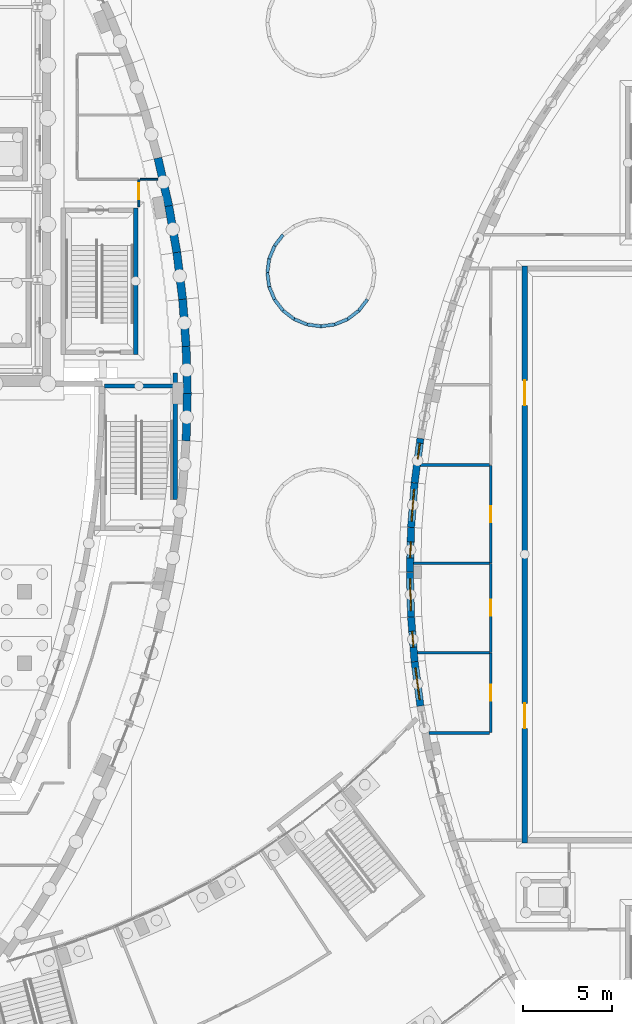
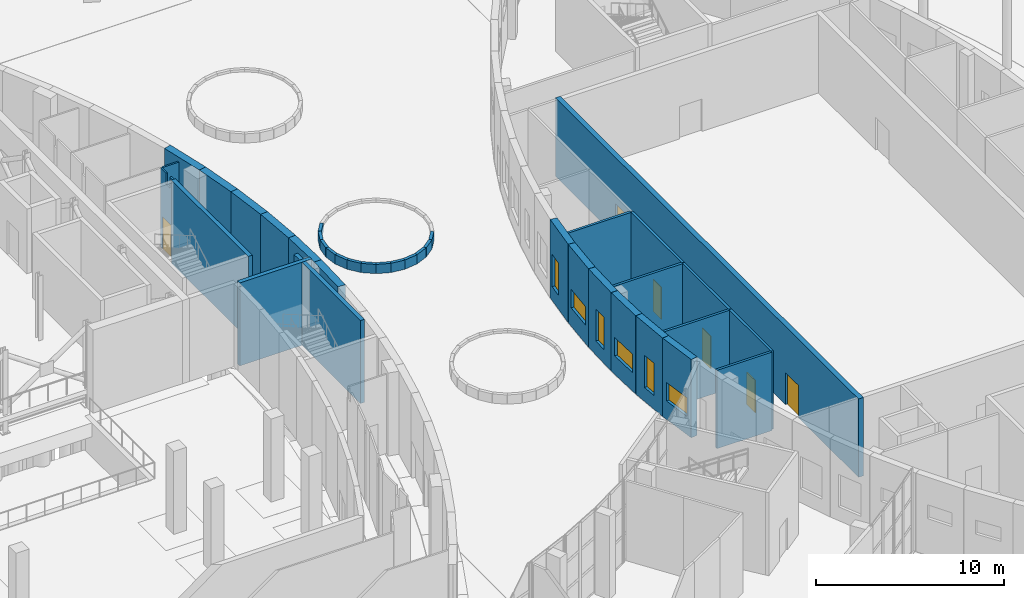
# One storey, part 53 of 82: 38 walls, 6 doors, 6 windows, 12 openings.
"""IFC4 building model written with IfcOpenShell, lengths in metres."""

from ifc_helpers import new_model, si_unit, direction, frame, frame_2d, origin, place, context, subcontext, project, spatial, polyline, rectangle, outline, extrude, material, layer, layer_set, type_object, element, fill, save


model = new_model("IFC4")

# Units and contexts
model_context = context("Model", 3, precision=1e-05, world=origin(), true_north=direction((0.0, 1.0)))
body_context = subcontext(model_context, "Body", "Model", "MODEL_VIEW")
ifc_project = project(units=[si_unit("LENGTHUNIT", "METRE"), si_unit("AREAUNIT", "SQUARE_METRE"), si_unit("VOLUMEUNIT", "CUBIC_METRE"), si_unit("PLANEANGLEUNIT", "RADIAN"), si_unit("MASSUNIT", "GRAM", prefix="KILO")], contexts=[model_context])

# Site, building, storey
site_placement = place(None, origin())
site = spatial("IfcSite", under=ifc_project, at=site_placement, CompositionType="ELEMENT")
building_placement = place(site_placement, origin())
building = spatial("IfcBuilding", under=site, at=building_placement, Name="Tide Square Theatres", CompositionType="ELEMENT")
storey_placement = place(building_placement, origin())
storey = spatial("IfcBuildingStorey", under=building, at=storey_placement, Name="L00", CompositionType="ELEMENT", Elevation=0.0)

# Wall, opening, door
ifc_material_1 = material(Name="Gypsum board on steel studs", Category="steel")
ifc_layer_1 = layer(ifc_material_1, 0.10009765625)
ifc_layer_set_1 = layer_set([ifc_layer_1], Name="Gypsum board on steel studs")
wall_type_1 = type_object("IfcWallType", Name="Partition 100 thick", PredefinedType="PARTITIONING", material=ifc_layer_set_1)
wall_1_placement = place(storey_placement, frame((102.39990234375, 65.4599609375, 0.0), z_axis=(0.0, 0.0, 1.0), x_axis=(0.0, 1.0, 0.0)))
wall_1 = element("IfcWall", 1, at=wall_1_placement, inside=storey, type_object=wall_type_1, Name="Partition", PredefinedType="PARTITIONING", context=body_context, shape_type="SweptSolid", body=[
    extrude(outline(polyline([(0.0, 0.0), (1.52001953125, 0.0), (1.52001953125, 5.14990234375), (0.947021484375, 5.14990234375), (0.945068359375, 4.419921875), (0.534912109375, 4.419921875), (0.532958984375, 5.14990234375), (0.0, 5.14990234375), (0.0, 0.0)])), frame((0.0, 0.050048828125, 0.0), z_axis=(0.0, -1.0, 0.0), x_axis=(1.0, 0.0, 0.0)), (0.0, 0.0, 1.0), 0.10009765625),
])
opening_1_placement = place(wall_1_placement, frame((0.419921875, 0.0, 0.0)))
opening_1 = element("IfcOpeningElement", 2, at=opening_1_placement, cuts=wall_1, Name="Opening M00-28", PredefinedType="OPENING", context=body_context, shape_type="SweptSolid", body=[
    extrude(rectangle(XDim=0.89990234375, YDim=2.10009765625, at=frame_2d((0.449951171875, 1.050048828125))), frame((0.0, 0.06005859375, 0.0), z_axis=(0.0, -1.0, 0.0), x_axis=(1.0, 0.0, 0.0)), (0.0, 0.0, 1.0), 0.1201171875),
])
ifc_material_2 = material(Name="Hardwood timber", Category="wood")
door_type_1 = type_object("IfcDoorType", Name="Door 900 x 2100 single leaf", OperationType="NOTDEFINED", PredefinedType="DOOR", material=ifc_material_2)
door_1_placement = place(opening_1_placement, frame((0.89990234375, 0.0, 0.0), z_axis=(0.0, 0.0, 1.0), x_axis=(-1.0, 0.0, 0.0)))
door_1 = element("IfcDoor", 3, at=door_1_placement, inside=storey, type_object=door_type_1, Name="Stage Door Lodge door", OperationType="SINGLE_SWING_LEFT", OverallHeight=2.10009765625, OverallWidth=0.89990234375, PredefinedType="DOOR", context=body_context, shape_type="SweptSolid", body=[
    extrude(rectangle(XDim=0.89990234375, YDim=2.10009765625, at=frame_2d((0.449951171875, 1.050048828125))), frame((0.0, 0.02490234375, 0.0), z_axis=(0.0, -1.0, 0.0), x_axis=(1.0, 0.0, 0.0)), (0.0, 0.0, 1.0), 0.050048828125),
])
fill(opening_1, door_1)

# Wall
wall_2_placement = place(storey_placement, frame((103.46533203125, 67.0, 0.0), z_axis=(0.0, 0.0, 1.0), x_axis=(-1.0, 0.0, 0.0)))
element("IfcWall", 4, at=wall_2_placement, inside=storey, type_object=wall_type_1, Name="Partition", PredefinedType="PARTITIONING", context=body_context, shape_type="SweptSolid", body=[
    extrude(rectangle(XDim=0.995361328125, YDim=0.10009765625, at=frame_2d((0.49755859375, 0.0))), origin(), (0.0, 0.0, 1.0), 5.14990234375),
])

# Wall, opening, door
ifc_material_3 = material(Name="Gypsum board on steel studs", Category="steel")
ifc_layer_2 = layer(ifc_material_3, 0.14990234375)
ifc_layer_set_2 = layer_set([ifc_layer_2], Name="Gypsum board on steel studs")
wall_type_2 = type_object("IfcWallType", Name="Partition 150 thick", PredefinedType="PARTITIONING", material=ifc_layer_set_2)
wall_3_placement = place(storey_placement, frame((122.10009765625, 36.02001953125, 0.0), z_axis=(0.0, 0.0, 1.0), x_axis=(0.0, 1.0, 0.0)))
wall_3 = element("IfcWall", 5, at=wall_3_placement, inside=storey, type_object=wall_type_2, Name="Black Box Theatre partition", PredefinedType="PARTITIONING", context=body_context, shape_type="SweptSolid", body=[
    extrude(rectangle(XDim=4.4599609375, YDim=0.14990234375, at=frame_2d((2.22998046875, 0.0))), origin(), (0.0, 0.0, 1.0), 5.10009765625),
])
opening_2_placement = place(wall_3_placement, frame((1.780029296875, 0.0, 0.0)))
opening_2 = element("IfcOpeningElement", 6, at=opening_2_placement, cuts=wall_3, Name="Opening B00-11", PredefinedType="OPENING", context=body_context, shape_type="SweptSolid", body=[
    extrude(rectangle(XDim=0.89990234375, YDim=2.10009765625, at=frame_2d((0.449951171875, 1.050048828125))), frame((0.0, 0.0849609375, 0.0), z_axis=(0.0, -1.0, 0.0), x_axis=(1.0, 0.0, 0.0)), (0.0, 0.0, 1.0), 0.169921875),
])
door_2_placement = place(opening_2_placement, origin())
door_2 = element("IfcDoor", 7, at=door_2_placement, inside=storey, type_object=door_type_1, Name="Dressing Room 01 door", OperationType="SINGLE_SWING_RIGHT", OverallHeight=2.10009765625, OverallWidth=0.89990234375, PredefinedType="DOOR", context=body_context, shape_type="SweptSolid", body=[
    extrude(rectangle(XDim=0.89990234375, YDim=2.10009765625, at=frame_2d((0.449951171875, 1.050048828125))), frame((0.0, 0.02490234375, 0.0), z_axis=(0.0, -1.0, 0.0), x_axis=(1.0, 0.0, 0.0)), (0.0, 0.0, 1.0), 0.050048828125),
])
fill(opening_2, door_2)

wall_4_placement = place(storey_placement, frame((122.10009765625, 40.52001953125, 0.0), z_axis=(0.0, 0.0, 1.0), x_axis=(0.0, 1.0, 0.0)))
wall_4 = element("IfcWall", 8, at=wall_4_placement, inside=storey, type_object=wall_type_2, Name="Black Box Theatre partition", PredefinedType="PARTITIONING", context=body_context, shape_type="SweptSolid", body=[
    extrude(rectangle(XDim=4.9599609375, YDim=0.14990234375, at=frame_2d((2.47998046875, 0.0))), origin(), (0.0, 0.0, 1.0), 5.10009765625),
])
opening_3_placement = place(wall_4_placement, frame((2.030029296875, 0.0, 0.0)))
opening_3 = element("IfcOpeningElement", 9, at=opening_3_placement, cuts=wall_4, Name="Opening B00-12", PredefinedType="OPENING", context=body_context, shape_type="SweptSolid", body=[
    extrude(rectangle(XDim=0.89990234375, YDim=2.10009765625, at=frame_2d((0.449951171875, 1.050048828125))), frame((0.0, 0.0849609375, 0.0), z_axis=(0.0, -1.0, 0.0), x_axis=(1.0, 0.0, 0.0)), (0.0, 0.0, 1.0), 0.169921875),
])
door_3_placement = place(opening_3_placement, origin())
door_3 = element("IfcDoor", 10, at=door_3_placement, inside=storey, type_object=door_type_1, Name="Dressing Room 02 door", OperationType="SINGLE_SWING_RIGHT", OverallHeight=2.10009765625, OverallWidth=0.89990234375, PredefinedType="DOOR", context=body_context, shape_type="SweptSolid", body=[
    extrude(rectangle(XDim=0.89990234375, YDim=2.10009765625, at=frame_2d((0.449951171875, 1.050048828125))), frame((0.0, 0.02490234375, 0.0), z_axis=(0.0, -1.0, 0.0), x_axis=(1.0, 0.0, 0.0)), (0.0, 0.0, 1.0), 0.050048828125),
])
fill(opening_3, door_3)

wall_5_placement = place(storey_placement, frame((122.10009765625, 45.52001953125, 0.0), z_axis=(0.0, 0.0, 1.0), x_axis=(0.0, 1.0, 0.0)))
wall_5 = element("IfcWall", 11, at=wall_5_placement, inside=storey, type_object=wall_type_2, Name="Black Box Theatre partition", PredefinedType="PARTITIONING", context=body_context, shape_type="SweptSolid", body=[
    extrude(rectangle(XDim=5.4599609375, YDim=0.14990234375, at=frame_2d((2.72998046875, 0.0))), origin(), (0.0, 0.0, 1.0), 5.10009765625),
])
opening_4_placement = place(wall_5_placement, frame((2.280029296875, 0.0, 0.0)))
opening_4 = element("IfcOpeningElement", 12, at=opening_4_placement, cuts=wall_5, Name="Opening B00-13", PredefinedType="OPENING", context=body_context, shape_type="SweptSolid", body=[
    extrude(rectangle(XDim=0.89990234375, YDim=2.10009765625, at=frame_2d((0.449951171875, 1.050048828125))), frame((0.0, 0.0849609375, 0.0), z_axis=(0.0, -1.0, 0.0), x_axis=(1.0, 0.0, 0.0)), (0.0, 0.0, 1.0), 0.169921875),
])
door_4_placement = place(opening_4_placement, origin())
door_4 = element("IfcDoor", 13, at=door_4_placement, inside=storey, type_object=door_type_1, Name="Green Room door", OperationType="SINGLE_SWING_RIGHT", OverallHeight=2.10009765625, OverallWidth=0.89990234375, PredefinedType="DOOR", context=body_context, shape_type="SweptSolid", body=[
    extrude(rectangle(XDim=0.89990234375, YDim=2.10009765625, at=frame_2d((0.449951171875, 1.050048828125))), frame((0.0, 0.02490234375, 0.0), z_axis=(0.0, -1.0, 0.0), x_axis=(1.0, 0.0, 0.0)), (0.0, 0.0, 1.0), 0.050048828125),
])
fill(opening_4, door_4)

# Walls
wall_6_placement = place(storey_placement, frame((118.646728515625, 36.0, 0.0), z_axis=(0.0, 0.0, 1.0), x_axis=(1.0, 0.0, 0.0)))
element("IfcWall", 14, at=wall_6_placement, inside=storey, type_object=wall_type_2, Name="Black Box Theatre partition", PredefinedType="PARTITIONING", context=body_context, shape_type="SweptSolid", body=[
    extrude(rectangle(XDim=3.393310546875, YDim=0.14990234375, at=frame_2d((1.69677734375, 0.0))), origin(), (0.0, 0.0, 1.0), 5.10009765625),
])
wall_7_placement = place(storey_placement, frame((117.99609375, 40.5, 0.0), z_axis=(0.0, 0.0, 1.0), x_axis=(1.0, 0.0, 0.0)))
element("IfcWall", 15, at=wall_7_placement, inside=storey, type_object=wall_type_2, Name="Black Box Theatre partition", PredefinedType="PARTITIONING", context=body_context, shape_type="SweptSolid", body=[
    extrude(rectangle(XDim=4.0439453125, YDim=0.14990234375, at=frame_2d((2.02197265625, 0.0))), origin(), (0.0, 0.0, 1.0), 5.10009765625),
])
wall_8_placement = place(storey_placement, frame((117.78564453125, 45.5, 0.0), z_axis=(0.0, 0.0, 1.0), x_axis=(1.0, 0.0, 0.0)))
element("IfcWall", 16, at=wall_8_placement, inside=storey, type_object=wall_type_2, Name="Black Box Theatre partition", PredefinedType="PARTITIONING", context=body_context, shape_type="SweptSolid", body=[
    extrude(rectangle(XDim=4.25439453125, YDim=0.14990234375, at=frame_2d((2.127197265625, 0.0))), origin(), (0.0, 0.0, 1.0), 5.10009765625),
])
wall_9_placement = place(storey_placement, frame((118.168212890625, 51.0, 0.0), z_axis=(0.0, 0.0, 1.0), x_axis=(1.0, 0.0, 0.0)))
element("IfcWall", 17, at=wall_9_placement, inside=storey, type_object=wall_type_2, Name="Black Box Theatre partition", PredefinedType="PARTITIONING", context=body_context, shape_type="SweptSolid", body=[
    extrude(rectangle(XDim=3.871826171875, YDim=0.14990234375, at=frame_2d((1.93603515625, 0.0))), origin(), (0.0, 0.0, 1.0), 5.10009765625),
])

# Wall, opening, window
ifc_material_4 = material(Name="Concrete C40", Category="concrete")
ifc_layer_3 = layer(ifc_material_4, 0.39990234375)
ifc_layer_set_3 = layer_set([ifc_layer_3], Name="Concrete C40")
wall_type_3 = type_object("IfcWallType", Name="RC curved wall 400 thick", PredefinedType="SOLIDWALL", material=ifc_layer_set_3)
wall_10_placement = place(storey_placement, frame((118.1630859375, 52.487548828125, 0.0), z_axis=(0.0, 0.0, 1.0), x_axis=(-0.130722601708, -0.991418983782, 0.0)))
wall_10 = element("IfcWall", 18, at=wall_10_placement, inside=storey, type_object=wall_type_3, Name="Black Box Theatre perimeter wall", PredefinedType="SOLIDWALL", context=body_context, shape_type="SweptSolid", body=[
    extrude(rectangle(XDim=2.4970703125, YDim=0.39990234375, at=frame_2d((1.24853515625, 0.0))), origin(), (0.0, 0.0, 1.0), 5.10009765625),
])
opening_5_placement = place(wall_10_placement, frame((0.26220703125, 0.0, 0.89990234375)))
opening_5 = element("IfcOpeningElement", 19, at=opening_5_placement, cuts=wall_10, Name="Opening WN-10", PredefinedType="OPENING", context=body_context, shape_type="SweptSolid", body=[
    extrude(rectangle(XDim=0.89990234375, YDim=2.10009765625, at=frame_2d((0.449951171875, 1.050048828125))), frame((0.0, 0.2099609375, 0.0), z_axis=(0.0, -1.0, 0.0), x_axis=(1.0, 0.0, 0.0)), (0.0, 0.0, 1.0), 0.419921875),
])
ifc_material_5 = material(Name="Aluminium with laminated glass", Category="aluminium")
window_type_1 = type_object("IfcWindowType", Name="Window 900 x 2100", PartitioningType="SINGLE_PANEL", PredefinedType="WINDOW", material=ifc_material_5)
window_1_placement = place(opening_5_placement, origin())
window_1 = element("IfcWindow", 20, at=window_1_placement, inside=storey, type_object=window_type_1, Name="Black Box Theatre Control Room window", OverallHeight=2.10009765625, OverallWidth=0.89990234375, PartitioningType="SINGLE_PANEL", PredefinedType="WINDOW", context=body_context, shape_type="SweptSolid", body=[
    extrude(rectangle(XDim=0.89990234375, YDim=2.10009765625, at=frame_2d((0.449951171875, 1.050048828125))), frame((0.0, 0.030029296875, 0.0), z_axis=(0.0, -1.0, 0.0), x_axis=(1.0, 0.0, 0.0)), (0.0, 0.0, 1.0), 0.06005859375),
])
fill(opening_5, window_1)

wall_11_placement = place(storey_placement, frame((117.83544921875, 50.00146484375, 0.0), z_axis=(0.0, 0.0, 1.0), x_axis=(-0.078602769132, -0.996906015974, 0.0)))
wall_11 = element("IfcWall", 21, at=wall_11_placement, inside=storey, type_object=wall_type_3, Name="Black Box Theatre perimeter wall", PredefinedType="SOLIDWALL", context=body_context, shape_type="SweptSolid", body=[
    extrude(rectangle(XDim=2.497314453125, YDim=0.39990234375, at=frame_2d((1.24853515625, 0.0))), origin(), (0.0, 0.0, 1.0), 5.10009765625),
])
opening_6_placement = place(wall_11_placement, frame((0.3486328125, 0.0, 1.199951171875)))
opening_6 = element("IfcOpeningElement", 22, at=opening_6_placement, cuts=wall_11, Name="Opening WN-26", PredefinedType="OPENING", context=body_context, shape_type="SweptSolid", body=[
    extrude(rectangle(XDim=1.800048828125, YDim=1.199951171875, at=frame_2d((0.89990234375, 0.60009765625))), frame((0.0, 0.2099609375, 0.0), z_axis=(0.0, -1.0, 0.0), x_axis=(1.0, 0.0, 0.0)), (0.0, 0.0, 1.0), 0.419921875),
])
ifc_material_6 = material(Name="Aluminium with laminated glass", Category="aluminium")
window_type_2 = type_object("IfcWindowType", Name="Window 1800 x 1200", PartitioningType="DOUBLE_PANEL_VERTICAL", PredefinedType="WINDOW", material=ifc_material_6)
window_2_placement = place(opening_6_placement, origin())
window_2 = element("IfcWindow", 23, at=window_2_placement, inside=storey, type_object=window_type_2, Name="Black Box Theatre Green Room window", OverallHeight=1.199951171875, OverallWidth=1.800048828125, PartitioningType="SINGLE_PANEL", PredefinedType="WINDOW", context=body_context, shape_type="SweptSolid", body=[
    extrude(rectangle(XDim=1.800048828125, YDim=1.199951171875, at=frame_2d((0.89990234375, 0.60009765625))), frame((0.0, 0.030029296875, 0.0), z_axis=(0.0, -1.0, 0.0), x_axis=(1.0, 0.0, 0.0)), (0.0, 0.0, 1.0), 0.06005859375),
])
fill(opening_6, window_2)

wall_12_placement = place(storey_placement, frame((117.638671875, 47.501708984375, 0.0), z_axis=(0.0, 0.0, 1.0), x_axis=(-0.026296399089, -0.999654189905, 0.0)))
wall_12 = element("IfcWall", 24, at=wall_12_placement, inside=storey, type_object=wall_type_3, Name="Black Box Theatre perimeter wall", PredefinedType="SOLIDWALL", context=body_context, shape_type="SweptSolid", body=[
    extrude(rectangle(XDim=2.49755859375, YDim=0.39990234375, at=frame_2d((1.248779296875, 0.0))), origin(), (0.0, 0.0, 1.0), 5.10009765625),
])
opening_7_placement = place(wall_12_placement, frame((0.798583984375, 0.0, 0.89990234375)))
opening_7 = element("IfcOpeningElement", 25, at=opening_7_placement, cuts=wall_12, Name="Opening WN-10", PredefinedType="OPENING", context=body_context, shape_type="SweptSolid", body=[
    extrude(rectangle(XDim=0.89990234375, YDim=2.10009765625, at=frame_2d((0.449951171875, 1.050048828125))), frame((0.0, 0.2099609375, 0.0), z_axis=(0.0, -1.0, 0.0), x_axis=(1.0, 0.0, 0.0)), (0.0, 0.0, 1.0), 0.419921875),
])
window_3_placement = place(opening_7_placement, origin())
window_3 = element("IfcWindow", 26, at=window_3_placement, inside=storey, type_object=window_type_1, Name="Black Box Theatre Green Room window", OverallHeight=2.10009765625, OverallWidth=0.89990234375, PartitioningType="SINGLE_PANEL", PredefinedType="WINDOW", context=body_context, shape_type="SweptSolid", body=[
    extrude(rectangle(XDim=0.89990234375, YDim=2.10009765625, at=frame_2d((0.449951171875, 1.050048828125))), frame((0.0, 0.030029296875, 0.0), z_axis=(0.0, -1.0, 0.0), x_axis=(1.0, 0.0, 0.0)), (0.0, 0.0, 1.0), 0.06005859375),
])
fill(opening_7, window_3)

wall_13_placement = place(storey_placement, frame((117.572998046875, 44.994873046875, 0.0), z_axis=(0.0, 0.0, 1.0), x_axis=(0.026296399089, -0.999654189905, 0.0)))
wall_13 = element("IfcWall", 27, at=wall_13_placement, inside=storey, type_object=wall_type_3, Name="Black Box Theatre perimeter wall", PredefinedType="SOLIDWALL", context=body_context, shape_type="SweptSolid", body=[
    extrude(rectangle(XDim=2.49755859375, YDim=0.39990234375, at=frame_2d((1.248779296875, 0.0))), origin(), (0.0, 0.0, 1.0), 5.10009765625),
])
opening_8_placement = place(wall_13_placement, frame((0.3486328125, 0.0, 1.199951171875)))
opening_8 = element("IfcOpeningElement", 28, at=opening_8_placement, cuts=wall_13, Name="Opening WN-26", PredefinedType="OPENING", context=body_context, shape_type="SweptSolid", body=[
    extrude(rectangle(XDim=1.800048828125, YDim=1.199951171875, at=frame_2d((0.89990234375, 0.60009765625))), frame((0.0, 0.2099609375, 0.0), z_axis=(0.0, -1.0, 0.0), x_axis=(1.0, 0.0, 0.0)), (0.0, 0.0, 1.0), 0.419921875),
])
window_4_placement = place(opening_8_placement, origin())
window_4 = element("IfcWindow", 29, at=window_4_placement, inside=storey, type_object=window_type_2, Name="Black Box Theatre Dressing Room 02 window", OverallHeight=1.199951171875, OverallWidth=1.800048828125, PartitioningType="SINGLE_PANEL", PredefinedType="WINDOW", context=body_context, shape_type="SweptSolid", body=[
    extrude(rectangle(XDim=1.800048828125, YDim=1.199951171875, at=frame_2d((0.89990234375, 0.60009765625))), frame((0.0, 0.030029296875, 0.0), z_axis=(0.0, -1.0, 0.0), x_axis=(1.0, 0.0, 0.0)), (0.0, 0.0, 1.0), 0.06005859375),
])
fill(opening_8, window_4)

wall_14_placement = place(storey_placement, frame((117.63916015625, 42.488037109375, 0.0), z_axis=(0.0, 0.0, 1.0), x_axis=(0.078602769132, -0.996906015974, 0.0)))
wall_14 = element("IfcWall", 30, at=wall_14_placement, inside=storey, type_object=wall_type_3, Name="Black Box Theatre perimeter wall", PredefinedType="SOLIDWALL", context=body_context, shape_type="SweptSolid", body=[
    extrude(rectangle(XDim=2.497314453125, YDim=0.39990234375, at=frame_2d((1.24853515625, 0.0))), origin(), (0.0, 0.0, 1.0), 5.10009765625),
])
opening_9_placement = place(wall_14_placement, frame((0.798583984375, 0.0, 0.89990234375)))
opening_9 = element("IfcOpeningElement", 31, at=opening_9_placement, cuts=wall_14, Name="Opening WN-10", PredefinedType="OPENING", context=body_context, shape_type="SweptSolid", body=[
    extrude(rectangle(XDim=0.89990234375, YDim=2.10009765625, at=frame_2d((0.449951171875, 1.050048828125))), frame((0.0, 0.2099609375, 0.0), z_axis=(0.0, -1.0, 0.0), x_axis=(1.0, 0.0, 0.0)), (0.0, 0.0, 1.0), 0.419921875),
])
window_5_placement = place(opening_9_placement, origin())
window_5 = element("IfcWindow", 32, at=window_5_placement, inside=storey, type_object=window_type_1, Name="Black Box Theatre Dressing Room 02 window", OverallHeight=2.10009765625, OverallWidth=0.89990234375, PartitioningType="SINGLE_PANEL", PredefinedType="WINDOW", context=body_context, shape_type="SweptSolid", body=[
    extrude(rectangle(XDim=0.89990234375, YDim=2.10009765625, at=frame_2d((0.449951171875, 1.050048828125))), frame((0.0, 0.030029296875, 0.0), z_axis=(0.0, -1.0, 0.0), x_axis=(1.0, 0.0, 0.0)), (0.0, 0.0, 1.0), 0.06005859375),
])
fill(opening_9, window_5)

wall_15_placement = place(storey_placement, frame((117.836669921875, 39.988037109375, 0.0), z_axis=(0.0, 0.0, 1.0), x_axis=(0.130722601708, -0.991418983782, 0.0)))
wall_15 = element("IfcWall", 33, at=wall_15_placement, inside=storey, type_object=wall_type_3, Name="Black Box Theatre perimeter wall", PredefinedType="SOLIDWALL", context=body_context, shape_type="SweptSolid", body=[
    extrude(rectangle(XDim=2.4970703125, YDim=0.39990234375, at=frame_2d((1.24853515625, 0.0))), origin(), (0.0, 0.0, 1.0), 5.10009765625),
])
opening_10_placement = place(wall_15_placement, frame((0.3486328125, 0.0, 1.199951171875)))
opening_10 = element("IfcOpeningElement", 34, at=opening_10_placement, cuts=wall_15, Name="Opening WN-26", PredefinedType="OPENING", context=body_context, shape_type="SweptSolid", body=[
    extrude(rectangle(XDim=1.800048828125, YDim=1.199951171875, at=frame_2d((0.89990234375, 0.60009765625))), frame((0.0, 0.2099609375, 0.0), z_axis=(0.0, -1.0, 0.0), x_axis=(1.0, 0.0, 0.0)), (0.0, 0.0, 1.0), 0.419921875),
])
window_6_placement = place(opening_10_placement, origin())
window_6 = element("IfcWindow", 35, at=window_6_placement, inside=storey, type_object=window_type_2, Name="Black Box Theatre Dressing Room 01 window", OverallHeight=1.199951171875, OverallWidth=1.800048828125, PartitioningType="SINGLE_PANEL", PredefinedType="WINDOW", context=body_context, shape_type="SweptSolid", body=[
    extrude(rectangle(XDim=1.800048828125, YDim=1.199951171875, at=frame_2d((0.89990234375, 0.60009765625))), frame((0.0, 0.030029296875, 0.0), z_axis=(0.0, -1.0, 0.0), x_axis=(1.0, 0.0, 0.0)), (0.0, 0.0, 1.0), 0.06005859375),
])
fill(opening_10, window_6)

# Walls
ifc_material_7 = material(Name="Concrete C40", Category="concrete")
ifc_layer_4 = layer(ifc_material_7, 0.449951171875)
ifc_layer_set_4 = layer_set([ifc_layer_4], Name="Concrete C40")
wall_type_4 = type_object("IfcWallType", Name="RC curved wall 450 thick", PredefinedType="SOLIDWALL", material=ifc_layer_set_4)
for number, where, z_axis, x_axis, name in (
    (36, (105.044921875, 52.358154296875, 0.0), (0.0, 0.0, 1.0), (0.024666736886, 0.999695729756, 0.0), "Main Theatre perimeter wall"),
    (37, (105.110107421875, 55.0, 0.0), (0.0, 0.0, 1.0), (-0.024666736886, 0.999695729756, 0.0), "Main Theatre perimeter wall"),
):
    element("IfcWall", number, at=place(storey_placement, frame(where, z_axis=z_axis, x_axis=x_axis)), inside=storey, type_object=wall_type_4, Name=name, PredefinedType="SOLIDWALL", context=body_context, shape_type="SweptSolid", body=[
        extrude(rectangle(XDim=2.642578125, YDim=0.449951171875, at=frame_2d((1.3212890625, 0.0))), origin(), (0.0, 0.0, 1.0), 5.39990234375),
    ])
wall_16_placement = place(storey_placement, frame((105.044921875, 57.641845703125, 0.0), z_axis=(0.0, 0.0, 1.0), x_axis=(-0.07363685767, 0.997285121313, 0.0)))
element("IfcWall", 38, at=wall_16_placement, inside=storey, type_object=wall_type_4, Name="Main Theatre perimeter wall", PredefinedType="SOLIDWALL", context=body_context, shape_type="SweptSolid", body=[
    extrude(rectangle(XDim=2.642333984375, YDim=0.449951171875, at=frame_2d((1.3212890625, 0.0))), origin(), (0.0, 0.0, 1.0), 5.39990234375),
])
wall_17_placement = place(storey_placement, frame((104.850341796875, 60.277099609375, 0.0), z_axis=(0.0, 0.0, 1.0), x_axis=(-0.122499610212, 0.992468561466, 0.0)))
element("IfcWall", 39, at=wall_17_placement, inside=storey, type_object=wall_type_4, Name="Main Theatre perimeter wall", PredefinedType="SOLIDWALL", context=body_context, shape_type="SweptSolid", body=[
    extrude(rectangle(XDim=2.642822265625, YDim=0.449951171875, at=frame_2d((1.3212890625, 0.0))), origin(), (0.0, 0.0, 1.0), 5.39990234375),
])
wall_18_placement = place(storey_placement, frame((104.526611328125, 62.89990234375, 0.0), z_axis=(0.0, 0.0, 1.0), x_axis=(-0.171196910379, 0.985236833394, 0.0)))
element("IfcWall", 40, at=wall_18_placement, inside=storey, type_object=wall_type_4, Name="Main Theatre perimeter wall", PredefinedType="SOLIDWALL", context=body_context, shape_type="SweptSolid", body=[
    extrude(rectangle(XDim=2.642578125, YDim=0.449951171875, at=frame_2d((1.3212890625, 0.0))), origin(), (0.0, 0.0, 1.0), 5.39990234375),
])
wall_19_placement = place(storey_placement, frame((104.07421875, 65.50341796875, 0.0), z_axis=(0.0, 0.0, 1.0), x_axis=(-0.220347996563, 0.975421324562, 0.0)))
element("IfcWall", 41, at=wall_19_placement, inside=storey, type_object=wall_type_4, Name="Main Theatre perimeter wall", PredefinedType="SOLIDWALL", context=body_context, shape_type="SweptSolid", body=[
    extrude(rectangle(XDim=2.752197265625, YDim=0.449951171875, at=frame_2d((1.3759765625, 0.0))), origin(), (0.0, 0.0, 1.0), 5.39990234375),
])
ifc_material_8 = material(Name="Concrete C40", Category="concrete")
ifc_layer_5 = layer(ifc_material_8, 0.179931640625)
ifc_layer_set_5 = layer_set([ifc_layer_5], Name="Concrete C40")
wall_type_5 = type_object("IfcWallType", Name="RC parapet 180 thick", PredefinedType="PARAPET", material=ifc_layer_set_5)
wall_20_placement = place(storey_placement, frame((115.19091796875, 60.266845703125, 0.0), z_axis=(0.0, 0.0, 1.0), x_axis=(-0.608791411033, -0.793330333374, 0.0)))
element("IfcWall", 42, at=wall_20_placement, inside=storey, type_object=wall_type_5, Name="Planter wall", PredefinedType="PARAPET", context=body_context, shape_type="SweptSolid", body=[
    extrude(rectangle(XDim=0.783203125, YDim=0.179931640625, at=frame_2d((0.3916015625, 0.0))), origin(), (0.0, 0.0, 1.0), 0.60009765625),
])
wall_21_placement = place(storey_placement, frame((114.714111328125, 59.6455078125, 0.0), z_axis=(0.0, 0.0, 1.0), x_axis=(-0.793214758236, -0.608941990108, 0.0)))
element("IfcWall", 43, at=wall_21_placement, inside=storey, type_object=wall_type_5, Name="Planter wall", PredefinedType="PARAPET", context=body_context, shape_type="SweptSolid", body=[
    extrude(rectangle(XDim=0.782958984375, YDim=0.179931640625, at=frame_2d((0.3916015625, 0.0))), origin(), (0.0, 0.0, 1.0), 0.60009765625),
])
wall_22_placement = place(storey_placement, frame((114.093017578125, 59.168701171875, 0.0), z_axis=(0.0, 0.0, 1.0), x_axis=(-0.923849665613, -0.382755529478, 0.0)))
element("IfcWall", 44, at=wall_22_placement, inside=storey, type_object=wall_type_5, Name="Planter wall", PredefinedType="PARAPET", context=body_context, shape_type="SweptSolid", body=[
    extrude(rectangle(XDim=0.783203125, YDim=0.179931640625, at=frame_2d((0.3916015625, 0.0))), origin(), (0.0, 0.0, 1.0), 0.60009765625),
])
wall_23_placement = place(storey_placement, frame((113.369384765625, 58.868896484375, 0.0), z_axis=(0.0, 0.0, 1.0), x_axis=(-0.9914712665, -0.130325468364, 0.0)))
element("IfcWall", 45, at=wall_23_placement, inside=storey, type_object=wall_type_5, Name="Planter wall", PredefinedType="PARAPET", context=body_context, shape_type="SweptSolid", body=[
    extrude(rectangle(XDim=0.782958984375, YDim=0.179931640625, at=frame_2d((0.3916015625, 0.0))), origin(), (0.0, 0.0, 1.0), 0.60009765625),
])
wall_24_placement = place(storey_placement, frame((112.593017578125, 58.766845703125, 0.0), z_axis=(0.0, 0.0, 1.0), x_axis=(-0.991476559602, 0.130285193937, 0.0)))
element("IfcWall", 46, at=wall_24_placement, inside=storey, type_object=wall_type_5, Name="Planter wall", PredefinedType="PARAPET", context=body_context, shape_type="SweptSolid", body=[
    extrude(rectangle(XDim=0.783203125, YDim=0.179931640625, at=frame_2d((0.3916015625, 0.0))), origin(), (0.0, 0.0, 1.0), 0.60009765625),
])
wall_25_placement = place(storey_placement, frame((111.81640625, 58.868896484375, 0.0), z_axis=(0.0, 0.0, 1.0), x_axis=(-0.923803982713, 0.382865774813, 0.0)))
element("IfcWall", 47, at=wall_25_placement, inside=storey, type_object=wall_type_5, Name="Planter wall", PredefinedType="PARAPET", context=body_context, shape_type="SweptSolid", body=[
    extrude(rectangle(XDim=0.782958984375, YDim=0.179931640625, at=frame_2d((0.3916015625, 0.0))), origin(), (0.0, 0.0, 1.0), 0.60009765625),
])
for number, where, z_axis, x_axis, name in (
    (48, (111.093017578125, 59.168701171875, 0.0), (0.0, 0.0, 1.0), (-0.793330333374, 0.608791411033, 0.0), "Planter wall"),
    (49, (110.4716796875, 59.6455078125, 0.0), (0.0, 0.0, 1.0), (-0.608791411033, 0.793330333374, 0.0), "Planter wall"),
):
    element("IfcWall", number, at=place(storey_placement, frame(where, z_axis=z_axis, x_axis=x_axis)), inside=storey, type_object=wall_type_5, Name=name, PredefinedType="PARAPET", context=body_context, shape_type="SweptSolid", body=[
        extrude(rectangle(XDim=0.783203125, YDim=0.179931640625, at=frame_2d((0.3916015625, 0.0))), origin(), (0.0, 0.0, 1.0), 0.60009765625),
    ])
wall_26_placement = place(storey_placement, frame((109.994873046875, 60.266845703125, 0.0), z_axis=(0.0, 0.0, 1.0), x_axis=(-0.382865774813, 0.923803982713, 0.0)))
element("IfcWall", 50, at=wall_26_placement, inside=storey, type_object=wall_type_5, Name="Planter wall", PredefinedType="PARAPET", context=body_context, shape_type="SweptSolid", body=[
    extrude(rectangle(XDim=0.782958984375, YDim=0.179931640625, at=frame_2d((0.3916015625, 0.0))), origin(), (0.0, 0.0, 1.0), 0.60009765625),
])
wall_27_placement = place(storey_placement, frame((109.695068359375, 60.990234375, 0.0), z_axis=(0.0, 0.0, 1.0), x_axis=(-0.130285193937, 0.991476559602, 0.0)))
element("IfcWall", 51, at=wall_27_placement, inside=storey, type_object=wall_type_5, Name="Planter wall", PredefinedType="PARAPET", context=body_context, shape_type="SweptSolid", body=[
    extrude(rectangle(XDim=0.783203125, YDim=0.179931640625, at=frame_2d((0.3916015625, 0.0))), origin(), (0.0, 0.0, 1.0), 0.60009765625),
])
wall_28_placement = place(storey_placement, frame((109.593017578125, 61.766845703125, 0.0), z_axis=(0.0, 0.0, 1.0), x_axis=(0.130325468364, 0.9914712665, 0.0)))
element("IfcWall", 52, at=wall_28_placement, inside=storey, type_object=wall_type_5, Name="Planter wall", PredefinedType="PARAPET", context=body_context, shape_type="SweptSolid", body=[
    extrude(rectangle(XDim=0.782958984375, YDim=0.179931640625, at=frame_2d((0.3916015625, 0.0))), origin(), (0.0, 0.0, 1.0), 0.60009765625),
])
for number, where, z_axis, x_axis, name in (
    (53, (109.695068359375, 62.543212890625, 0.0), (0.0, 0.0, 1.0), (0.382755529478, 0.923849665613, 0.0), "Planter wall"),
    (54, (109.994873046875, 63.266845703125, 0.0), (0.0, 0.0, 1.0), (0.608791411033, 0.793330333374, 0.0), "Planter wall"),
):
    element("IfcWall", number, at=place(storey_placement, frame(where, z_axis=z_axis, x_axis=x_axis)), inside=storey, type_object=wall_type_5, Name=name, PredefinedType="PARAPET", context=body_context, shape_type="SweptSolid", body=[
        extrude(rectangle(XDim=0.783203125, YDim=0.179931640625, at=frame_2d((0.3916015625, 0.0))), origin(), (0.0, 0.0, 1.0), 0.60009765625),
    ])
ifc_material_9 = material(Name="Concrete C40", Category="concrete")
ifc_layer_6 = layer(ifc_material_9, 0.25)
ifc_layer_set_6 = layer_set([ifc_layer_6], Name="Concrete C40")
wall_type_6 = type_object("IfcWallType", Name="RC shear wall 250 thick", PredefinedType="SHEAR", material=ifc_layer_set_6)
wall_29_placement = place(storey_placement, frame((102.22509765625, 57.199951171875, 0.0), z_axis=(0.0, 0.0, 1.0), x_axis=(0.0, 1.0, 0.0)))
element("IfcWall", 55, at=wall_29_placement, inside=storey, type_object=wall_type_6, Name="Main Theatre East Stair shaft wall", PredefinedType="SHEAR", context=body_context, shape_type="SweptSolid", body=[
    extrude(rectangle(XDim=8.199951171875, YDim=0.25, at=frame_2d((4.10009765625, 0.0))), origin(), (0.0, 0.0, 1.0), 5.39990234375),
])
wall_30_placement = place(storey_placement, frame((104.425048828125, 49.060791015625, 0.0), z_axis=(0.0, 0.0, 1.0), x_axis=(0.0, 1.0, 0.0)))
element("IfcWall", 56, at=wall_30_placement, inside=storey, type_object=wall_type_6, Name="Main Theatre East Circle Stair shaft wall", PredefinedType="SHEAR", context=body_context, shape_type="SweptSolid", body=[
    extrude(rectangle(XDim=7.089111328125, YDim=0.25, at=frame_2d((3.54443359375, 0.0))), origin(), (0.0, 0.0, 1.0), 5.39990234375),
])
wall_31_placement = place(storey_placement, frame((100.47998046875, 55.425048828125, 0.0), z_axis=(0.0, 0.0, 1.0), x_axis=(1.0, 0.0, 0.0)))
element("IfcWall", 57, at=wall_31_placement, inside=storey, type_object=wall_type_6, Name="Main Theatre East Circle Stair shaft wall", PredefinedType="SHEAR", context=body_context, shape_type="SweptSolid", body=[
    extrude(rectangle(XDim=4.419921875, YDim=0.25, at=frame_2d((2.2099609375, 0.0))), origin(), (0.0, 0.0, 1.0), 5.39990234375),
])

# Wall, openings, doors
ifc_material_10 = material(Name="Concrete C40", Category="concrete")
ifc_layer_7 = layer(ifc_material_10, 0.300048828125)
ifc_layer_set_7 = layer_set([ifc_layer_7], Name="Concrete C40")
wall_type_7 = type_object("IfcWallType", Name="RC shear wall 300 thick", PredefinedType="SHEAR", material=ifc_layer_set_7)
wall_32_placement = place(storey_placement, frame((124.0, 62.14990234375, 0.0), z_axis=(0.0, 0.0, 1.0), x_axis=(0.0, -1.0, 0.0)))
wall_32 = element("IfcWall", 58, at=wall_32_placement, inside=storey, type_object=wall_type_7, Name="Black Box Theatre auditorium wall", PredefinedType="SHEAR", context=body_context, shape_type="SweptSolid", body=[
    extrude(rectangle(XDim=32.2998046875, YDim=0.300048828125, at=frame_2d((16.14990234375, 0.0))), origin(), (0.0, 0.0, 1.0), 5.10009765625),
])
opening_11_placement = place(wall_32_placement, frame((6.406005859375, 0.0, 0.0)))
opening_11 = element("IfcOpeningElement", 59, at=opening_11_placement, cuts=wall_32, Name="Opening B00-30", PredefinedType="OPENING", context=body_context, shape_type="SweptSolid", body=[
    extrude(rectangle(XDim=1.39990234375, YDim=2.10009765625, at=frame_2d((0.699951171875, 1.050048828125))), frame((0.0, 0.159912109375, 0.0), z_axis=(0.0, -1.0, 0.0), x_axis=(1.0, 0.0, 0.0)), (0.0, 0.0, 1.0), 0.320068359375),
])
opening_12_placement = place(wall_32_placement, frame((24.493896484375, 0.0, 0.0)))
opening_12 = element("IfcOpeningElement", 60, at=opening_12_placement, cuts=wall_32, Name="Opening B00-31", PredefinedType="OPENING", context=body_context, shape_type="SweptSolid", body=[
    extrude(rectangle(XDim=1.39990234375, YDim=2.10009765625, at=frame_2d((0.699951171875, 1.050048828125))), frame((0.0, 0.159912109375, 0.0), z_axis=(0.0, -1.0, 0.0), x_axis=(1.0, 0.0, 0.0)), (0.0, 0.0, 1.0), 0.320068359375),
])
ifc_material_11 = material(Name="Hardwood timber", Category="wood")
door_type_2 = type_object("IfcDoorType", Name="Door 1400 x 2100 double leaf", OperationType="DOUBLE_DOOR_SINGLE_SWING", PredefinedType="DOOR", material=ifc_material_11)
door_5_placement = place(opening_11_placement, origin())
door_5 = element("IfcDoor", 61, at=door_5_placement, inside=storey, type_object=door_type_2, Name="Black Box Theatre auditorium door", OperationType="DOUBLE_DOOR_SINGLE_SWING", OverallHeight=2.10009765625, OverallWidth=1.39990234375, PredefinedType="DOOR", context=body_context, shape_type="SweptSolid", body=[
    extrude(rectangle(XDim=1.39990234375, YDim=2.10009765625, at=frame_2d((0.699951171875, 1.050048828125))), frame((0.0, 0.02490234375, 0.0), z_axis=(0.0, -1.0, 0.0), x_axis=(1.0, 0.0, 0.0)), (0.0, 0.0, 1.0), 0.050048828125),
])
fill(opening_11, door_5)
door_6_placement = place(opening_12_placement, origin())
door_6 = element("IfcDoor", 62, at=door_6_placement, inside=storey, type_object=door_type_2, Name="Black Box Theatre auditorium door", OperationType="DOUBLE_DOOR_SINGLE_SWING", OverallHeight=2.10009765625, OverallWidth=1.39990234375, PredefinedType="DOOR", context=body_context, shape_type="SweptSolid", body=[
    extrude(rectangle(XDim=1.39990234375, YDim=2.10009765625, at=frame_2d((0.699951171875, 1.050048828125))), frame((0.0, 0.02490234375, 0.0), z_axis=(0.0, -1.0, 0.0), x_axis=(1.0, 0.0, 0.0)), (0.0, 0.0, 1.0), 0.050048828125),
])
fill(opening_12, door_6)

save(model, "model.ifc")
